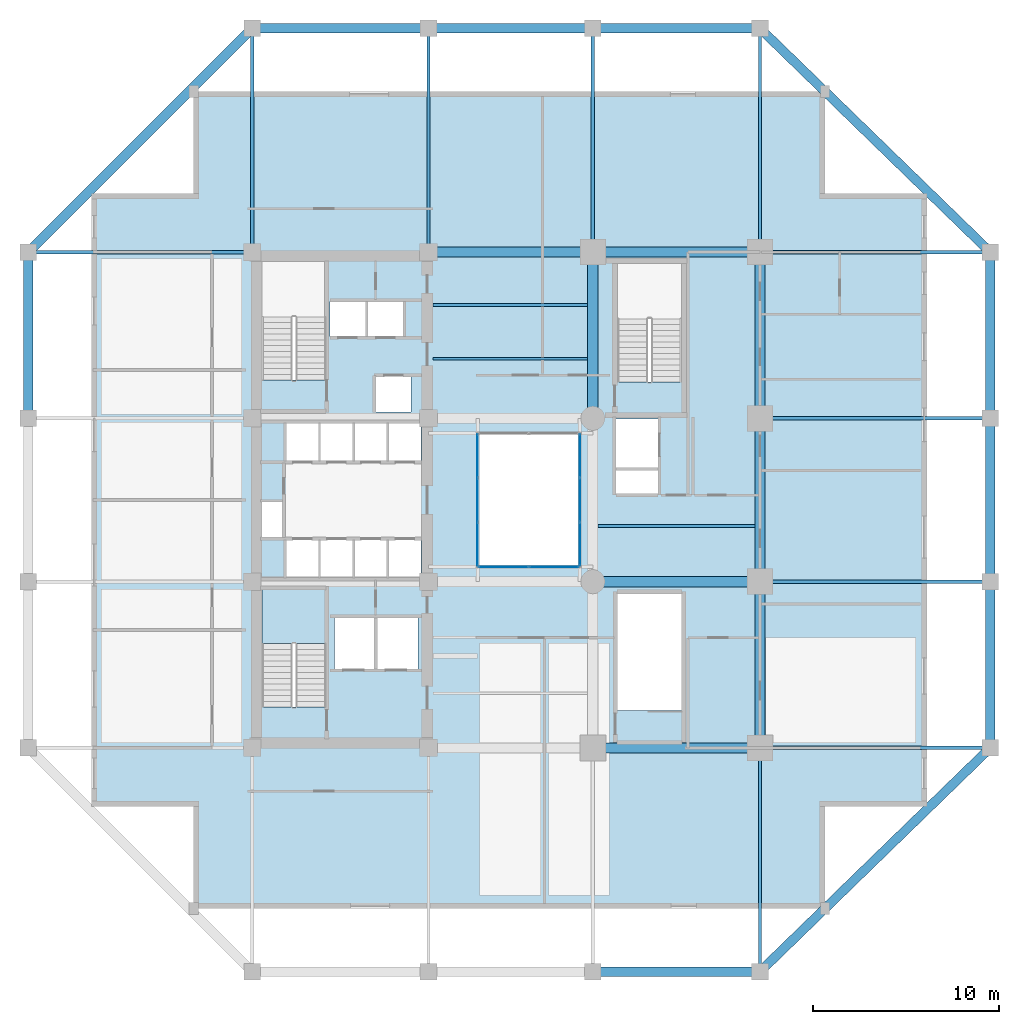
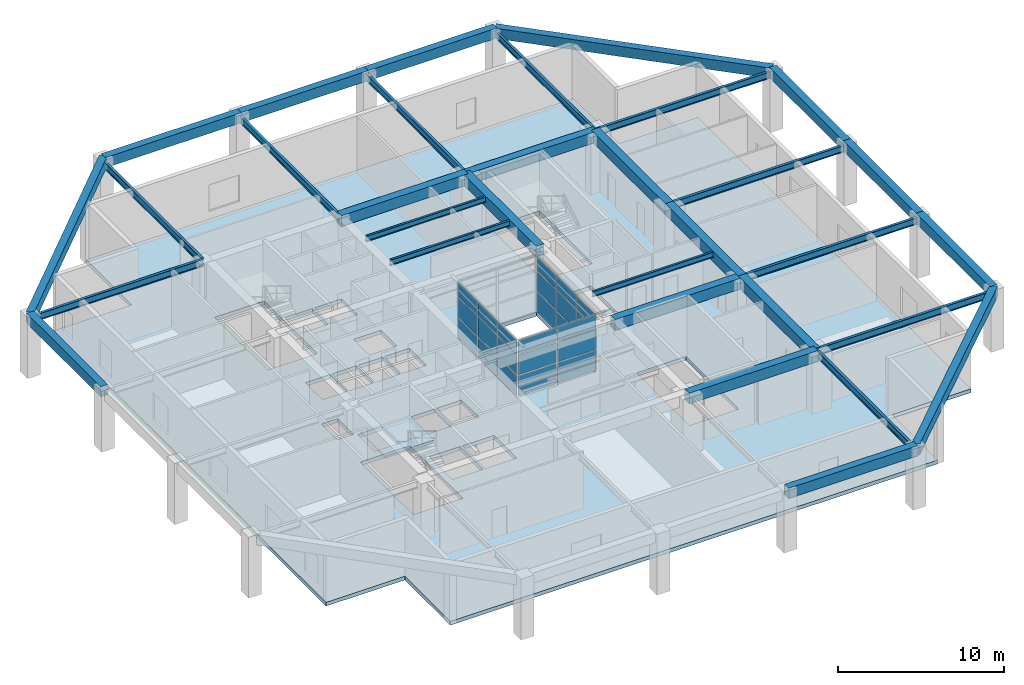
# One storey, part 5 of 13: 32 beams, 24 plates, 2 slabs, 4 elements without a shape of their own.
"""IFC4 building model written with IfcOpenShell, lengths in metres."""

from ifc_helpers import new_model, si_unit, direction, frame, origin, origin_2d, place, context, subcontext, project, spatial, polyline, rectangle, i_section, outline, extrude, material, layer, layer_set, material_profile, profile_set, type_object, element, aggregate, save


model = new_model("IFC4")

# Units and contexts
model_context = context("Model", 3, precision=1e-05, world=origin(), true_north=direction((0.0, 1.0)))
body_context = subcontext(model_context, "Body", "Model", "MODEL_VIEW")
ifc_project = project(units=[si_unit("LENGTHUNIT", "METRE"), si_unit("AREAUNIT", "SQUARE_METRE"), si_unit("VOLUMEUNIT", "CUBIC_METRE"), si_unit("PLANEANGLEUNIT", "RADIAN"), si_unit("MASSUNIT", "GRAM", prefix="KILO")], contexts=[model_context])

# Site, building, storey
site_placement = place(None, origin())
site = spatial("IfcSite", under=ifc_project, at=site_placement, CompositionType="ELEMENT")
building_placement = place(site_placement, origin())
building = spatial("IfcBuilding", under=site, at=building_placement, Name="Kundavana Baori Tower", CompositionType="ELEMENT")
storey_placement = place(building_placement, frame((0.0, 0.0, 21.5)))
storey = spatial("IfcBuildingStorey", under=building, at=storey_placement, Name="L04", CompositionType="ELEMENT", Elevation=21.5)

# Beams
ifc_material_1 = material(Name="Structural Steel S355JR", Category="steel")
ifc_material_profile_1 = material_profile(ifc_material_1, i_section(OverallWidth=0.139892578125, OverallDepth=0.39990234375, WebThickness=0.0087890625, FlangeThickness=0.01611328125, FilletRadius=0.013916015625, at=origin_2d()), Name="ISMB 400")
ifc_profile_set_1 = profile_set([ifc_material_profile_1], Name="Structural Steel S355JR")
beam_type_1 = type_object("IfcBeamType", Name="BM-JST-400", PredefinedType="JOIST", material=ifc_profile_set_1)
for number, where, z_axis, x_axis, name in (
    (1, (25.179931640625, 36.199951171875, 4.02001953125), (1.0, 0.0, 0.0), (0.0, 1.0, 0.0), "L04 Central Bay Composite Floor Joist C3"),
    (2, (25.179931640625, 39.10009765625, 4.02001953125), (1.0, 0.0, 0.0), (0.0, 1.0, 0.0), "L04 Central Bay Composite Floor Joist C4"),
):
    element("IfcBeam", number, at=place(storey_placement, frame(where, z_axis=z_axis, x_axis=x_axis)), inside=storey, type_object=beam_type_1, Name=name, PredefinedType="JOIST", context=body_context, shape_type="SweptSolid", body=[
        extrude(i_section(OverallWidth=0.139892578125, OverallDepth=0.39990234375, WebThickness=0.0087890625, FlangeThickness=0.01611328125, FilletRadius=0.013916015625, at=origin_2d()), origin(), (0.0, 0.0, 1.0), 8.344970703125),
    ])
beam_1_placement = place(storey_placement, frame((34.074951171875, 27.199951171875, 4.02001953125), z_axis=(1.0, 0.0, 0.0), x_axis=(0.0, 1.0, 0.0)))
element("IfcBeam", 3, at=beam_1_placement, inside=storey, type_object=beam_type_1, Name="L04 East Bay Composite Floor Joist E3", PredefinedType="JOIST", context=body_context, shape_type="SweptSolid", body=[
    extrude(i_section(OverallWidth=0.139892578125, OverallDepth=0.39990234375, WebThickness=0.0087890625, FlangeThickness=0.01611328125, FilletRadius=0.013916015625, at=origin_2d()), origin(), (0.0, 0.0, 1.0), 8.449951171875),
])
ifc_material_2 = material(Name="Concrete C50/60", Category="concrete")
ifc_material_profile_2 = material_profile(ifc_material_2, rectangle(XDim=0.5, YDim=0.75, at=origin_2d()), Name="RC BM 500x750")
ifc_profile_set_2 = profile_set([ifc_material_profile_2], Name="Concrete C50/60")
beam_type_2 = type_object("IfcBeamType", Name="BM-PF-750", PredefinedType="SPANDREL", material=ifc_profile_set_2)
beam_2_placement = place(storey_placement, frame((33.800048828125, 3.199951171875, 4.125), z_axis=(1.0, 0.0, 0.0), x_axis=(0.0, 1.0, 0.0)))
element("IfcBeam", 4, at=beam_2_placement, inside=storey, type_object=beam_type_2, Name="L04 Perimeter Frame Ring Beam S3", PredefinedType="SPANDREL", context=body_context, shape_type="SweptSolid", body=[
    extrude(rectangle(XDim=0.5, YDim=0.75, at=origin_2d()), origin(), (0.0, 0.0, 1.0), 9.0),
])
beam_3_placement = place(storey_placement, frame((15.449951171875, 54.0, 4.125), z_axis=(1.0, 0.0, 0.0), x_axis=(0.0, 1.0, 0.0)))
element("IfcBeam", 5, at=beam_3_placement, inside=storey, type_object=beam_type_2, Name="L04 Perimeter Frame Ring Beam N1", PredefinedType="SPANDREL", context=body_context, shape_type="SweptSolid", body=[
    extrude(rectangle(XDim=0.5, YDim=0.75, at=origin_2d()), origin(), (0.0, 0.0, 1.0), 9.5),
])
beam_4_placement = place(storey_placement, frame((24.949951171875, 54.0, 4.125), z_axis=(1.0, 0.0, 0.0), x_axis=(0.0, 1.0, 0.0)))
element("IfcBeam", 6, at=beam_4_placement, inside=storey, type_object=beam_type_2, Name="L04 Perimeter Frame Ring Beam N2", PredefinedType="SPANDREL", context=body_context, shape_type="SweptSolid", body=[
    extrude(rectangle(XDim=0.5, YDim=0.75, at=origin_2d()), origin(), (0.0, 0.0, 1.0), 8.85009765625),
])
beam_5_placement = place(storey_placement, frame((33.800048828125, 54.0, 4.125), z_axis=(1.0, 0.0, 0.0), x_axis=(0.0, 1.0, 0.0)))
element("IfcBeam", 7, at=beam_5_placement, inside=storey, type_object=beam_type_2, Name="L04 Perimeter Frame Ring Beam N3", PredefinedType="SPANDREL", context=body_context, shape_type="SweptSolid", body=[
    extrude(rectangle(XDim=0.5, YDim=0.75, at=origin_2d()), origin(), (0.0, 0.0, 1.0), 9.0),
])
for number, where, z_axis, x_axis, name in (
    (8, (3.39990234375, 33.0, 4.125), (0.0, 1.0, 0.0), (-1.0, 0.0, 0.0), "L04 Perimeter Frame Ring Beam W3"),
    (9, (55.199951171875, 15.25, 4.125), (0.0, 1.0, 0.0), (-1.0, 0.0, 0.0), "L04 Perimeter Frame Ring Beam E1"),
):
    element("IfcBeam", number, at=place(storey_placement, frame(where, z_axis=z_axis, x_axis=x_axis)), inside=storey, type_object=beam_type_2, Name=name, PredefinedType="SPANDREL", context=body_context, shape_type="SweptSolid", body=[
        extrude(rectangle(XDim=0.5, YDim=0.75, at=origin_2d()), origin(), (0.0, 0.0, 1.0), 8.949951171875),
    ])
beam_6_placement = place(storey_placement, frame((55.199951171875, 24.199951171875, 4.125), z_axis=(0.0, 1.0, 0.0), x_axis=(-1.0, 0.0, 0.0)))
element("IfcBeam", 10, at=beam_6_placement, inside=storey, type_object=beam_type_2, Name="L04 Perimeter Frame Ring Beam E2", PredefinedType="SPANDREL", context=body_context, shape_type="SweptSolid", body=[
    extrude(rectangle(XDim=0.5, YDim=0.75, at=origin_2d()), origin(), (0.0, 0.0, 1.0), 8.800048828125),
])
beam_7_placement = place(storey_placement, frame((55.199951171875, 33.0, 4.125), z_axis=(0.0, 1.0, 0.0), x_axis=(-1.0, 0.0, 0.0)))
element("IfcBeam", 11, at=beam_7_placement, inside=storey, type_object=beam_type_2, Name="L04 Perimeter Frame Ring Beam E3", PredefinedType="SPANDREL", context=body_context, shape_type="SweptSolid", body=[
    extrude(rectangle(XDim=0.5, YDim=0.75, at=origin_2d()), origin(), (0.0, 0.0, 1.0), 8.949951171875),
])
beam_8_placement = place(storey_placement, frame((42.800048828125, 3.199951171875, 4.125), z_axis=(0.717151334594, 0.696917472367, 0.0), x_axis=(-0.696917472367, 0.717151334594, 0.0)))
element("IfcBeam", 12, at=beam_8_placement, inside=storey, type_object=beam_type_2, Name="L04 Notched Corner Perimeter Beam SE", PredefinedType="SPANDREL", context=body_context, shape_type="SweptSolid", body=[
    extrude(rectangle(XDim=0.5, YDim=0.75, at=origin_2d()), origin(), (0.0, 0.0, 1.0), 17.29052734375),
])
beam_9_placement = place(storey_placement, frame((15.449951171875, 54.0, 4.125), z_axis=(-0.707106781187, -0.707106781187, 0.0), x_axis=(0.707106781187, -0.707106781187, 0.0)))
element("IfcBeam", 13, at=beam_9_placement, inside=storey, type_object=beam_type_2, Name="L04 Notched Corner Perimeter Beam NW", PredefinedType="SPANDREL", context=body_context, shape_type="SweptSolid", body=[
    extrude(rectangle(XDim=0.5, YDim=0.75, at=origin_2d()), origin(), (0.0, 0.0, 1.0), 17.041259765625),
])
beam_10_placement = place(storey_placement, frame((42.800048828125, 54.0, 4.125), z_axis=(0.717151334594, -0.696917472367, 0.0), x_axis=(0.696917472367, 0.717151334594, 0.0)))
element("IfcBeam", 14, at=beam_10_placement, inside=storey, type_object=beam_type_2, Name="L04 Notched Corner Perimeter Beam NE", PredefinedType="SPANDREL", context=body_context, shape_type="SweptSolid", body=[
    extrude(rectangle(XDim=0.5, YDim=0.75, at=origin_2d()), origin(), (0.0, 0.0, 1.0), 17.29052734375),
])
ifc_material_3 = material(Name="Concrete C50/60", Category="concrete")
ifc_material_profile_3 = material_profile(ifc_material_3, rectangle(XDim=0.550048828125, YDim=0.800048828125, at=origin_2d()), Name="RC BM 550x800")
ifc_profile_set_3 = profile_set([ifc_material_profile_3], Name="Concrete C50/60")
beam_type_3 = type_object("IfcBeamType", Name="BM-RC-800", PredefinedType="BEAM", material=ifc_profile_set_3)
for number, where, z_axis, x_axis, name in (
    (15, (33.800048828125, 15.25, 3.820068359375), (1.0, 0.0, 0.0), (0.0, 1.0, 0.0), "L04 Primary Grid Girder GX-1-3"),
    (16, (33.800048828125, 24.199951171875, 3.820068359375), (1.0, 0.0, 0.0), (0.0, 1.0, 0.0), "L04 Primary Grid Girder GX-2-3"),
):
    element("IfcBeam", number, at=place(storey_placement, frame(where, z_axis=z_axis, x_axis=x_axis)), inside=storey, type_object=beam_type_3, Name=name, PredefinedType="BEAM", context=body_context, shape_type="SweptSolid", body=[
        extrude(rectangle(XDim=0.550048828125, YDim=0.800048828125, at=origin_2d()), origin(), (0.0, 0.0, 1.0), 9.0),
    ])
beam_11_placement = place(storey_placement, frame((24.949951171875, 41.949951171875, 3.820068359375), z_axis=(1.0, 0.0, 0.0), x_axis=(0.0, 1.0, 0.0)))
element("IfcBeam", 17, at=beam_11_placement, inside=storey, type_object=beam_type_3, Name="L04 Primary Grid Girder GX-4-2", PredefinedType="BEAM", context=body_context, shape_type="SweptSolid", body=[
    extrude(rectangle(XDim=0.550048828125, YDim=0.800048828125, at=origin_2d()), origin(), (0.0, 0.0, 1.0), 8.85009765625),
])
beam_12_placement = place(storey_placement, frame((33.800048828125, 41.949951171875, 3.820068359375), z_axis=(1.0, 0.0, 0.0), x_axis=(0.0, 1.0, 0.0)))
element("IfcBeam", 18, at=beam_12_placement, inside=storey, type_object=beam_type_3, Name="L04 Primary Grid Girder GX-4-3", PredefinedType="BEAM", context=body_context, shape_type="SweptSolid", body=[
    extrude(rectangle(XDim=0.550048828125, YDim=0.800048828125, at=origin_2d()), origin(), (0.0, 0.0, 1.0), 9.0),
])
for number, where, z_axis, x_axis, name in (
    (19, (33.800048828125, 33.0, 3.820068359375), (0.0, 1.0, 0.0), (-1.0, 0.0, 0.0), "L04 Primary Grid Girder GY-3-3"),
    (20, (42.800048828125, 15.25, 3.820068359375), (0.0, 1.0, 0.0), (-1.0, 0.0, 0.0), "L04 Primary Grid Girder GY-4-1"),
):
    element("IfcBeam", number, at=place(storey_placement, frame(where, z_axis=z_axis, x_axis=x_axis)), inside=storey, type_object=beam_type_3, Name=name, PredefinedType="BEAM", context=body_context, shape_type="SweptSolid", body=[
        extrude(rectangle(XDim=0.550048828125, YDim=0.800048828125, at=origin_2d()), origin(), (0.0, 0.0, 1.0), 8.949951171875),
    ])
beam_13_placement = place(storey_placement, frame((42.800048828125, 24.199951171875, 3.820068359375), z_axis=(0.0, 1.0, 0.0), x_axis=(-1.0, 0.0, 0.0)))
element("IfcBeam", 21, at=beam_13_placement, inside=storey, type_object=beam_type_3, Name="L04 Primary Grid Girder GY-4-2", PredefinedType="BEAM", context=body_context, shape_type="SweptSolid", body=[
    extrude(rectangle(XDim=0.550048828125, YDim=0.800048828125, at=origin_2d()), origin(), (0.0, 0.0, 1.0), 8.800048828125),
])
beam_14_placement = place(storey_placement, frame((42.800048828125, 33.0, 3.820068359375), z_axis=(0.0, 1.0, 0.0), x_axis=(-1.0, 0.0, 0.0)))
element("IfcBeam", 22, at=beam_14_placement, inside=storey, type_object=beam_type_3, Name="L04 Primary Grid Girder GY-4-3", PredefinedType="BEAM", context=body_context, shape_type="SweptSolid", body=[
    extrude(rectangle(XDim=0.550048828125, YDim=0.800048828125, at=origin_2d()), origin(), (0.0, 0.0, 1.0), 8.949951171875),
])
ifc_material_4 = material(Name="Structural Steel S355JR", Category="steel")
ifc_material_profile_4 = material_profile(ifc_material_4, i_section(OverallWidth=0.179931640625, OverallDepth=0.5, WebThickness=0.01025390625, FlangeThickness=0.01708984375, FilletRadius=0.01708984375, at=origin_2d()), Name="ISMB 500")
ifc_profile_set_4 = profile_set([ifc_material_profile_4], Name="Structural Steel S355JR")
beam_type_4 = type_object("IfcBeamType", Name="BM-TIE-500", PredefinedType="BEAM", material=ifc_profile_set_4)
for number, where, z_axis, x_axis, name in (
    (23, (15.449951171875, 41.949951171875, 3.969970703125), (0.0, 1.0, 0.0), (-1.0, 0.0, 0.0), "L04 North Radial Loggia Tie Beam N1"),
    (24, (24.949951171875, 41.949951171875, 3.969970703125), (0.0, 1.0, 0.0), (-1.0, 0.0, 0.0), "L04 North Radial Loggia Tie Beam N2"),
    (25, (33.800048828125, 41.949951171875, 3.969970703125), (0.0, 1.0, 0.0), (-1.0, 0.0, 0.0), "L04 North Radial Loggia Tie Beam N3"),
    (26, (42.800048828125, 15.25, 3.969970703125), (0.0, -1.0, 0.0), (1.0, 0.0, 0.0), "L04 South Radial Loggia Tie Beam S4"),
    (27, (42.800048828125, 41.949951171875, 3.969970703125), (0.0, 1.0, 0.0), (-1.0, 0.0, 0.0), "L04 North Radial Loggia Tie Beam N4"),
):
    element("IfcBeam", number, at=place(storey_placement, frame(where, z_axis=z_axis, x_axis=x_axis)), inside=storey, type_object=beam_type_4, Name=name, PredefinedType="BEAM", context=body_context, shape_type="SweptSolid", body=[
        extrude(i_section(OverallWidth=0.179931640625, OverallDepth=0.5, WebThickness=0.01025390625, FlangeThickness=0.01708984375, FilletRadius=0.01708984375, at=origin_2d()), origin(), (0.0, 0.0, 1.0), 12.050048828125),
    ])
for number, where, z_axis, x_axis, name in (
    (28, (42.800048828125, 15.25, 3.969970703125), (1.0, 0.0, 0.0), (0.0, 1.0, 0.0), "L04 East Radial Loggia Tie Beam E1"),
    (29, (42.800048828125, 24.199951171875, 3.969970703125), (1.0, 0.0, 0.0), (0.0, 1.0, 0.0), "L04 East Radial Loggia Tie Beam E2"),
    (30, (42.800048828125, 33.0, 3.969970703125), (1.0, 0.0, 0.0), (0.0, 1.0, 0.0), "L04 East Radial Loggia Tie Beam E3"),
):
    element("IfcBeam", number, at=place(storey_placement, frame(where, z_axis=z_axis, x_axis=x_axis)), inside=storey, type_object=beam_type_4, Name=name, PredefinedType="BEAM", context=body_context, shape_type="SweptSolid", body=[
        extrude(i_section(OverallWidth=0.179931640625, OverallDepth=0.5, WebThickness=0.01025390625, FlangeThickness=0.01708984375, FilletRadius=0.01708984375, at=origin_2d()), origin(), (0.0, 0.0, 1.0), 12.39990234375),
    ])
beam_15_placement = place(storey_placement, frame((15.449951171875, 41.949951171875, 3.969970703125), z_axis=(-1.0, 0.0, 0.0), x_axis=(0.0, -1.0, 0.0)))
element("IfcBeam", 31, at=beam_15_placement, inside=storey, type_object=beam_type_4, Name="L04 West Radial Loggia Tie Beam W4", PredefinedType="BEAM", context=body_context, shape_type="SweptSolid", body=[
    extrude(i_section(OverallWidth=0.179931640625, OverallDepth=0.5, WebThickness=0.01025390625, FlangeThickness=0.01708984375, FilletRadius=0.01708984375, at=origin_2d()), origin(), (0.0, 0.0, 1.0), 12.050048828125),
])
beam_16_placement = place(storey_placement, frame((42.800048828125, 41.949951171875, 3.969970703125), z_axis=(1.0, 0.0, 0.0), x_axis=(0.0, 1.0, 0.0)))
element("IfcBeam", 32, at=beam_16_placement, inside=storey, type_object=beam_type_4, Name="L04 East Radial Loggia Tie Beam E4", PredefinedType="BEAM", context=body_context, shape_type="SweptSolid", body=[
    extrude(i_section(OverallWidth=0.179931640625, OverallDepth=0.5, WebThickness=0.01025390625, FlangeThickness=0.01708984375, FilletRadius=0.01708984375, at=origin_2d()), origin(), (0.0, 0.0, 1.0), 12.39990234375),
])

# Curtain wall, plates
ifc_material_5 = material(Name="Thermally Broken Anodised Aluminium Framing", Category="aluminium")
ifc_layer_1 = layer(ifc_material_5, 0.175048828125, Name="CW-SYS-2")
ifc_layer_set_1 = layer_set([ifc_layer_1], Name="Thermally Broken Anodised Aluminium Framing")
curtain_wall_type = type_object("IfcCurtainWallType", Name="CW-SYS-2", PredefinedType="NOTDEFINED", material=ifc_layer_set_1)
curtain_wall_1_placement = place(storey_placement, origin())
curtain_wall_1 = element("IfcCurtainWall", 33, at=curtain_wall_1_placement, inside=storey, type_object=curtain_wall_type, Name="L04 Atrium Glazed Curtain Wall S", PredefinedType="NOTDEFINED")
ifc_material_6 = material(Name="Double-Glazed Solar-Control Low-E Insulated Glass", Category="glass")
ifc_layer_2 = layer(ifc_material_6, 0.028076171875, Name="CW-PNL-GLS28")
ifc_layer_set_2 = layer_set([ifc_layer_2], Name="Double-Glazed Solar-Control Low-E Insulated Glass")
plate_type = type_object("IfcPlateType", Name="CW-PNL-GLS28", PredefinedType="CURTAIN_PANEL", material=ifc_layer_set_2)
plate_1_placement = place(storey_placement, frame((28.9912109375, 25.0, 0.06494140625), z_axis=(0.0, 0.0, 1.0), x_axis=(1.0, 0.0, 0.0)))
plate_1 = element("IfcPlate", 34, at=plate_1_placement, type_object=plate_type, Name="CW2 panel 1.1", PredefinedType="CURTAIN_PANEL", context=body_context, shape_type="SweptSolid", body=[
    extrude(rectangle(XDim=2.652587890625, YDim=0.028076171875, at=origin_2d()), origin(), (0.0, 0.0, 1.0), 1.506103515625),
])
plate_2_placement = place(storey_placement, frame((28.9912109375, 25.0, 1.63623046875), z_axis=(0.0, 0.0, 1.0), x_axis=(1.0, 0.0, 0.0)))
plate_2 = element("IfcPlate", 35, at=plate_2_placement, type_object=plate_type, Name="CW2 panel 1.2", PredefinedType="CURTAIN_PANEL", context=body_context, shape_type="SweptSolid", body=[
    extrude(rectangle(XDim=2.652587890625, YDim=0.028076171875, at=origin_2d()), origin(), (0.0, 0.0, 1.0), 1.4541015625),
])
plate_3_placement = place(storey_placement, frame((28.9912109375, 25.0, 3.1552734375), z_axis=(0.0, 0.0, 1.0), x_axis=(1.0, 0.0, 0.0)))
plate_3 = element("IfcPlate", 36, at=plate_3_placement, type_object=plate_type, Name="CW2 panel 1.3", PredefinedType="CURTAIN_PANEL", context=body_context, shape_type="SweptSolid", body=[
    extrude(rectangle(XDim=2.652587890625, YDim=0.028076171875, at=origin_2d()), origin(), (0.0, 0.0, 1.0), 0.999755859375),
])
plate_4_placement = place(storey_placement, frame((31.708740234375, 25.0, 0.06494140625), z_axis=(0.0, 0.0, 1.0), x_axis=(1.0, 0.0, 0.0)))
plate_4 = element("IfcPlate", 37, at=plate_4_placement, type_object=plate_type, Name="CW2 panel 2.1", PredefinedType="CURTAIN_PANEL", context=body_context, shape_type="SweptSolid", body=[
    extrude(rectangle(XDim=2.652587890625, YDim=0.028076171875, at=origin_2d()), origin(), (0.0, 0.0, 1.0), 1.506103515625),
])
plate_5_placement = place(storey_placement, frame((31.708740234375, 25.0, 1.63623046875), z_axis=(0.0, 0.0, 1.0), x_axis=(1.0, 0.0, 0.0)))
plate_5 = element("IfcPlate", 38, at=plate_5_placement, type_object=plate_type, Name="CW2 panel 2.2", PredefinedType="CURTAIN_PANEL", context=body_context, shape_type="SweptSolid", body=[
    extrude(rectangle(XDim=2.652587890625, YDim=0.028076171875, at=origin_2d()), origin(), (0.0, 0.0, 1.0), 1.4541015625),
])
plate_6_placement = place(storey_placement, frame((31.708740234375, 25.0, 3.1552734375), z_axis=(0.0, 0.0, 1.0), x_axis=(1.0, 0.0, 0.0)))
plate_6 = element("IfcPlate", 39, at=plate_6_placement, type_object=plate_type, Name="CW2 panel 2.3", PredefinedType="CURTAIN_PANEL", context=body_context, shape_type="SweptSolid", body=[
    extrude(rectangle(XDim=2.652587890625, YDim=0.028076171875, at=origin_2d()), origin(), (0.0, 0.0, 1.0), 0.999755859375),
])
aggregate(curtain_wall_1, [plate_1, plate_2, plate_3, plate_4, plate_5, plate_6])

curtain_wall_2_placement = place(storey_placement, origin())
curtain_wall_2 = element("IfcCurtainWall", 40, at=curtain_wall_2_placement, inside=storey, type_object=curtain_wall_type, Name="L04 Atrium Glazed Curtain Wall E", PredefinedType="NOTDEFINED")
plate_7_placement = place(storey_placement, frame((33.10009765625, 26.21630859375, 0.06494140625), z_axis=(0.0, 0.0, 1.0), x_axis=(0.0, 1.0, 0.0)))
plate_7 = element("IfcPlate", 41, at=plate_7_placement, type_object=plate_type, Name="CW2 panel 1.1", PredefinedType="CURTAIN_PANEL", context=body_context, shape_type="SweptSolid", body=[
    extrude(rectangle(XDim=2.302490234375, YDim=0.028076171875, at=origin_2d()), origin(), (0.0, 0.0, 1.0), 1.506103515625),
])
plate_8_placement = place(storey_placement, frame((33.10009765625, 26.21630859375, 1.63623046875), z_axis=(0.0, 0.0, 1.0), x_axis=(0.0, 1.0, 0.0)))
plate_8 = element("IfcPlate", 42, at=plate_8_placement, type_object=plate_type, Name="CW2 panel 1.2", PredefinedType="CURTAIN_PANEL", context=body_context, shape_type="SweptSolid", body=[
    extrude(rectangle(XDim=2.302490234375, YDim=0.028076171875, at=origin_2d()), origin(), (0.0, 0.0, 1.0), 1.4541015625),
])
plate_9_placement = place(storey_placement, frame((33.10009765625, 26.21630859375, 3.1552734375), z_axis=(0.0, 0.0, 1.0), x_axis=(0.0, 1.0, 0.0)))
plate_9 = element("IfcPlate", 43, at=plate_9_placement, type_object=plate_type, Name="CW2 panel 1.3", PredefinedType="CURTAIN_PANEL", context=body_context, shape_type="SweptSolid", body=[
    extrude(rectangle(XDim=2.302490234375, YDim=0.028076171875, at=origin_2d()), origin(), (0.0, 0.0, 1.0), 0.999755859375),
])
plate_10_placement = place(storey_placement, frame((33.10009765625, 28.60009765625, 0.06494140625), z_axis=(0.0, 0.0, 1.0), x_axis=(0.0, 1.0, 0.0)))
plate_10 = element("IfcPlate", 44, at=plate_10_placement, type_object=plate_type, Name="CW2 panel 2.1", PredefinedType="CURTAIN_PANEL", context=body_context, shape_type="SweptSolid", body=[
    extrude(rectangle(XDim=2.3349609375, YDim=0.028076171875, at=origin_2d()), origin(), (0.0, 0.0, 1.0), 1.506103515625),
])
plate_11_placement = place(storey_placement, frame((33.10009765625, 28.60009765625, 1.63623046875), z_axis=(0.0, 0.0, 1.0), x_axis=(0.0, 1.0, 0.0)))
plate_11 = element("IfcPlate", 45, at=plate_11_placement, type_object=plate_type, Name="CW2 panel 2.2", PredefinedType="CURTAIN_PANEL", context=body_context, shape_type="SweptSolid", body=[
    extrude(rectangle(XDim=2.3349609375, YDim=0.028076171875, at=origin_2d()), origin(), (0.0, 0.0, 1.0), 1.4541015625),
])
plate_12_placement = place(storey_placement, frame((33.10009765625, 28.60009765625, 3.1552734375), z_axis=(0.0, 0.0, 1.0), x_axis=(0.0, 1.0, 0.0)))
plate_12 = element("IfcPlate", 46, at=plate_12_placement, type_object=plate_type, Name="CW2 panel 2.3", PredefinedType="CURTAIN_PANEL", context=body_context, shape_type="SweptSolid", body=[
    extrude(rectangle(XDim=2.3349609375, YDim=0.028076171875, at=origin_2d()), origin(), (0.0, 0.0, 1.0), 0.999755859375),
])
plate_13_placement = place(storey_placement, frame((33.10009765625, 30.983642578125, 0.06494140625), z_axis=(0.0, 0.0, 1.0), x_axis=(0.0, 1.0, 0.0)))
plate_13 = element("IfcPlate", 47, at=plate_13_placement, type_object=plate_type, Name="CW2 panel 3.1", PredefinedType="CURTAIN_PANEL", context=body_context, shape_type="SweptSolid", body=[
    extrude(rectangle(XDim=2.302490234375, YDim=0.028076171875, at=origin_2d()), origin(), (0.0, 0.0, 1.0), 1.506103515625),
])
plate_14_placement = place(storey_placement, frame((33.10009765625, 30.983642578125, 1.63623046875), z_axis=(0.0, 0.0, 1.0), x_axis=(0.0, 1.0, 0.0)))
plate_14 = element("IfcPlate", 48, at=plate_14_placement, type_object=plate_type, Name="CW2 panel 3.2", PredefinedType="CURTAIN_PANEL", context=body_context, shape_type="SweptSolid", body=[
    extrude(rectangle(XDim=2.302490234375, YDim=0.028076171875, at=origin_2d()), origin(), (0.0, 0.0, 1.0), 1.4541015625),
])
plate_15_placement = place(storey_placement, frame((33.10009765625, 30.983642578125, 3.1552734375), z_axis=(0.0, 0.0, 1.0), x_axis=(0.0, 1.0, 0.0)))
plate_15 = element("IfcPlate", 49, at=plate_15_placement, type_object=plate_type, Name="CW2 panel 3.3", PredefinedType="CURTAIN_PANEL", context=body_context, shape_type="SweptSolid", body=[
    extrude(rectangle(XDim=2.302490234375, YDim=0.028076171875, at=origin_2d()), origin(), (0.0, 0.0, 1.0), 0.999755859375),
])
aggregate(curtain_wall_2, [plate_7, plate_8, plate_9, plate_10, plate_11, plate_12, plate_13, plate_14, plate_15])

curtain_wall_3_placement = place(storey_placement, origin())
curtain_wall_3 = element("IfcCurtainWall", 50, at=curtain_wall_3_placement, inside=storey, type_object=curtain_wall_type, Name="L04 Atrium Glazed Curtain Wall W", PredefinedType="NOTDEFINED")
plate_16_placement = place(storey_placement, frame((27.60009765625, 30.983642578125, 0.06494140625), z_axis=(0.0, 0.0, 1.0), x_axis=(0.0, -1.0, 0.0)))
plate_16 = element("IfcPlate", 51, at=plate_16_placement, type_object=plate_type, Name="CW2 panel 1.1", PredefinedType="CURTAIN_PANEL", context=body_context, shape_type="SweptSolid", body=[
    extrude(rectangle(XDim=2.302490234375, YDim=0.028076171875, at=origin_2d()), origin(), (0.0, 0.0, 1.0), 1.506103515625),
])
plate_17_placement = place(storey_placement, frame((27.60009765625, 30.983642578125, 1.63623046875), z_axis=(0.0, 0.0, 1.0), x_axis=(0.0, -1.0, 0.0)))
plate_17 = element("IfcPlate", 52, at=plate_17_placement, type_object=plate_type, Name="CW2 panel 1.2", PredefinedType="CURTAIN_PANEL", context=body_context, shape_type="SweptSolid", body=[
    extrude(rectangle(XDim=2.302490234375, YDim=0.028076171875, at=origin_2d()), origin(), (0.0, 0.0, 1.0), 1.4541015625),
])
plate_18_placement = place(storey_placement, frame((27.60009765625, 30.983642578125, 3.1552734375), z_axis=(0.0, 0.0, 1.0), x_axis=(0.0, -1.0, 0.0)))
plate_18 = element("IfcPlate", 53, at=plate_18_placement, type_object=plate_type, Name="CW2 panel 1.3", PredefinedType="CURTAIN_PANEL", context=body_context, shape_type="SweptSolid", body=[
    extrude(rectangle(XDim=2.302490234375, YDim=0.028076171875, at=origin_2d()), origin(), (0.0, 0.0, 1.0), 0.999755859375),
])
plate_19_placement = place(storey_placement, frame((27.60009765625, 28.60009765625, 0.06494140625), z_axis=(0.0, 0.0, 1.0), x_axis=(0.0, -1.0, 0.0)))
plate_19 = element("IfcPlate", 54, at=plate_19_placement, type_object=plate_type, Name="CW2 panel 2.1", PredefinedType="CURTAIN_PANEL", context=body_context, shape_type="SweptSolid", body=[
    extrude(rectangle(XDim=2.3349609375, YDim=0.028076171875, at=origin_2d()), origin(), (0.0, 0.0, 1.0), 1.506103515625),
])
plate_20_placement = place(storey_placement, frame((27.60009765625, 28.60009765625, 1.63623046875), z_axis=(0.0, 0.0, 1.0), x_axis=(0.0, -1.0, 0.0)))
plate_20 = element("IfcPlate", 55, at=plate_20_placement, type_object=plate_type, Name="CW2 panel 2.2", PredefinedType="CURTAIN_PANEL", context=body_context, shape_type="SweptSolid", body=[
    extrude(rectangle(XDim=2.3349609375, YDim=0.028076171875, at=origin_2d()), origin(), (0.0, 0.0, 1.0), 1.4541015625),
])
plate_21_placement = place(storey_placement, frame((27.60009765625, 28.60009765625, 3.1552734375), z_axis=(0.0, 0.0, 1.0), x_axis=(0.0, -1.0, 0.0)))
plate_21 = element("IfcPlate", 56, at=plate_21_placement, type_object=plate_type, Name="CW2 panel 2.3", PredefinedType="CURTAIN_PANEL", context=body_context, shape_type="SweptSolid", body=[
    extrude(rectangle(XDim=2.3349609375, YDim=0.028076171875, at=origin_2d()), origin(), (0.0, 0.0, 1.0), 0.999755859375),
])
plate_22_placement = place(storey_placement, frame((27.60009765625, 26.21630859375, 0.06494140625), z_axis=(0.0, 0.0, 1.0), x_axis=(0.0, -1.0, 0.0)))
plate_22 = element("IfcPlate", 57, at=plate_22_placement, type_object=plate_type, Name="CW2 panel 3.1", PredefinedType="CURTAIN_PANEL", context=body_context, shape_type="SweptSolid", body=[
    extrude(rectangle(XDim=2.302490234375, YDim=0.028076171875, at=origin_2d()), origin(), (0.0, 0.0, 1.0), 1.506103515625),
])
plate_23_placement = place(storey_placement, frame((27.60009765625, 26.21630859375, 1.63623046875), z_axis=(0.0, 0.0, 1.0), x_axis=(0.0, -1.0, 0.0)))
plate_23 = element("IfcPlate", 58, at=plate_23_placement, type_object=plate_type, Name="CW2 panel 3.2", PredefinedType="CURTAIN_PANEL", context=body_context, shape_type="SweptSolid", body=[
    extrude(rectangle(XDim=2.302490234375, YDim=0.028076171875, at=origin_2d()), origin(), (0.0, 0.0, 1.0), 1.4541015625),
])
plate_24_placement = place(storey_placement, frame((27.60009765625, 26.21630859375, 3.1552734375), z_axis=(0.0, 0.0, 1.0), x_axis=(0.0, -1.0, 0.0)))
plate_24 = element("IfcPlate", 59, at=plate_24_placement, type_object=plate_type, Name="CW2 panel 3.3", PredefinedType="CURTAIN_PANEL", context=body_context, shape_type="SweptSolid", body=[
    extrude(rectangle(XDim=2.302490234375, YDim=0.028076171875, at=origin_2d()), origin(), (0.0, 0.0, 1.0), 0.999755859375),
])
aggregate(curtain_wall_3, [plate_16, plate_17, plate_18, plate_19, plate_20, plate_21, plate_22, plate_23, plate_24])

# Slab
ifc_material_7 = material(Name="Concrete C40/50", Category="concrete")
ifc_layer_3 = layer(ifc_material_7, 0.280029296875, Name="SLB-FLR-280")
ifc_layer_set_3 = layer_set([ifc_layer_3], Name="Concrete C40/50")
slab_type_1 = type_object("IfcSlabType", Name="SLB-FLR-280", PredefinedType="FLOOR", material=ifc_layer_set_3)
slab_1_placement = place(storey_placement, frame((0.0, 0.0, -0.280029296875)))
element("IfcSlab", 60, at=slab_1_placement, inside=storey, type_object=slab_type_1, Name="L04 Structural Floor Slab", PredefinedType="FLOOR", context=body_context, shape_type="SweptSolid", body=[
    extrude(outline(polyline([(12.300048828125, 6.60009765625), (46.300048828125, 6.60009765625), (46.300048828125, 12.10009765625), (51.800048828125, 12.10009765625), (51.800048828125, 45.10009765625), (46.300048828125, 45.10009765625), (46.300048828125, 50.60009765625), (12.300048828125, 50.60009765625), (12.300048828125, 45.10009765625), (6.800048828125, 45.10009765625), (6.800048828125, 12.10009765625), (12.300048828125, 12.10009765625), (12.300048828125, 6.60009765625)]), holes=[polyline([(19.43994140625, 17.4619140625), (19.43994140625, 23.85009765625), (15.97998046875, 23.85009765625), (15.97998046875, 17.4619140625), (19.43994140625, 17.4619140625)]), polyline([(19.43994140625, 35.06201171875), (19.43994140625, 41.449951171875), (15.97998046875, 41.449951171875), (15.97998046875, 35.06201171875), (19.43994140625, 35.06201171875)]), polyline([(38.580078125, 34.9619140625), (38.580078125, 41.35009765625), (35.1201171875, 41.35009765625), (35.1201171875, 34.9619140625), (38.580078125, 34.9619140625)]), polyline([(38.580078125, 17.261962890625), (38.580078125, 23.64990234375), (35.1201171875, 23.64990234375), (35.1201171875, 17.261962890625), (38.580078125, 17.261962890625)]), polyline([(17.300048828125, 24.39990234375), (19.02001953125, 24.39990234375), (19.02001953125, 26.449951171875), (17.300048828125, 26.449951171875), (17.300048828125, 24.39990234375)]), polyline([(19.139892578125, 24.39990234375), (20.860107421875, 24.39990234375), (20.860107421875, 26.449951171875), (19.139892578125, 26.449951171875), (19.139892578125, 24.39990234375)]), polyline([(20.97998046875, 24.39990234375), (22.699951171875, 24.39990234375), (22.699951171875, 26.449951171875), (20.97998046875, 26.449951171875), (20.97998046875, 24.39990234375)]), polyline([(22.820068359375, 24.39990234375), (24.5400390625, 24.39990234375), (24.5400390625, 26.449951171875), (22.820068359375, 26.449951171875), (22.820068359375, 24.39990234375)]), polyline([(17.300048828125, 30.699951171875), (19.02001953125, 30.699951171875), (19.02001953125, 32.75), (17.300048828125, 32.75), (17.300048828125, 30.699951171875)]), polyline([(19.139892578125, 30.699951171875), (20.860107421875, 30.699951171875), (20.860107421875, 32.75), (19.139892578125, 32.75), (19.139892578125, 30.699951171875)]), polyline([(20.97998046875, 30.699951171875), (22.699951171875, 30.699951171875), (22.699951171875, 32.75), (20.97998046875, 32.75), (20.97998046875, 30.699951171875)]), polyline([(22.820068359375, 30.699951171875), (24.5400390625, 30.699951171875), (24.5400390625, 32.75), (22.820068359375, 32.75), (22.820068359375, 30.699951171875)]), polyline([(19.64990234375, 37.39990234375), (21.550048828125, 37.39990234375), (21.550048828125, 39.300048828125), (19.64990234375, 39.300048828125), (19.64990234375, 37.39990234375)]), polyline([(21.699951171875, 37.39990234375), (23.60009765625, 37.39990234375), (23.60009765625, 39.300048828125), (21.699951171875, 39.300048828125), (21.699951171875, 37.39990234375)]), polyline([(22.10009765625, 33.35009765625), (24.0, 33.35009765625), (24.0, 35.25), (22.10009765625, 35.25), (22.10009765625, 33.35009765625)]), polyline([(19.8798828125, 19.5), (22.02001953125, 19.5), (22.02001953125, 22.25), (19.8798828125, 22.25), (19.8798828125, 19.5)]), polyline([(22.179931640625, 19.5), (24.3798828125, 19.5), (24.3798828125, 22.25), (22.179931640625, 22.25), (22.179931640625, 19.5)]), polyline([(35.050048828125, 30.35009765625), (37.300048828125, 30.35009765625), (37.300048828125, 32.949951171875), (35.050048828125, 32.949951171875), (35.050048828125, 30.35009765625)]), polyline([(15.949951171875, 26.60009765625), (17.080078125, 26.60009765625), (17.080078125, 28.5), (15.949951171875, 28.5), (15.949951171875, 26.60009765625)]), polyline([(35.050048828125, 28.949951171875), (37.300048828125, 28.949951171875), (37.300048828125, 30.199951171875), (35.050048828125, 30.199951171875), (35.050048828125, 28.949951171875)]), polyline([(27.60009765625, 25.0), (33.10009765625, 25.0), (33.10009765625, 32.199951171875), (27.60009765625, 32.199951171875), (27.60009765625, 25.0)])]), origin(), (0.0, 0.0, 1.0), 0.280029296875),
])

# Stair, slab
ifc_material_8 = material(Name="Concrete C40/50", Category="concrete")
stair_type = type_object("IfcStairType", Name="STR-DOG-1650", PredefinedType="HALF_TURN_STAIR", material=ifc_material_8)
stair_placement = place(storey_placement, origin())
stair = element("IfcStair", 61, at=stair_placement, inside=storey, type_object=stair_type, Name="L04 Protected Exit Stair ST1", PredefinedType="HALF_TURN_STAIR")
ifc_material_9 = material(Name="Concrete C40/50", Category="concrete")
ifc_layer_4 = layer(ifc_material_9, 0.199951171875, Name="SLB-LND-200")
ifc_layer_set_4 = layer_set([ifc_layer_4], Name="Concrete C40/50")
slab_type_2 = type_object("IfcSlabType", Name="SLB-LND-200", PredefinedType="LANDING", material=ifc_layer_set_4)
slab_2_placement = place(storey_placement, frame((0.0, 0.0, 2.050048828125)))
slab_2 = element("IfcSlab", 62, at=slab_2_placement, type_object=slab_type_2, Name="ST1 landing 1", PredefinedType="LANDING", context=body_context, shape_type="SweptSolid", body=[
    extrude(outline(polyline([(19.43994140625, 20.860107421875), (19.43994140625, 23.85009765625), (15.97998046875, 23.85009765625), (15.97998046875, 20.860107421875), (19.43994140625, 20.860107421875)])), origin(), (0.0, 0.0, 1.0), 0.199951171875),
])
aggregate(stair, [slab_2])

save(model, "model.ifc")
